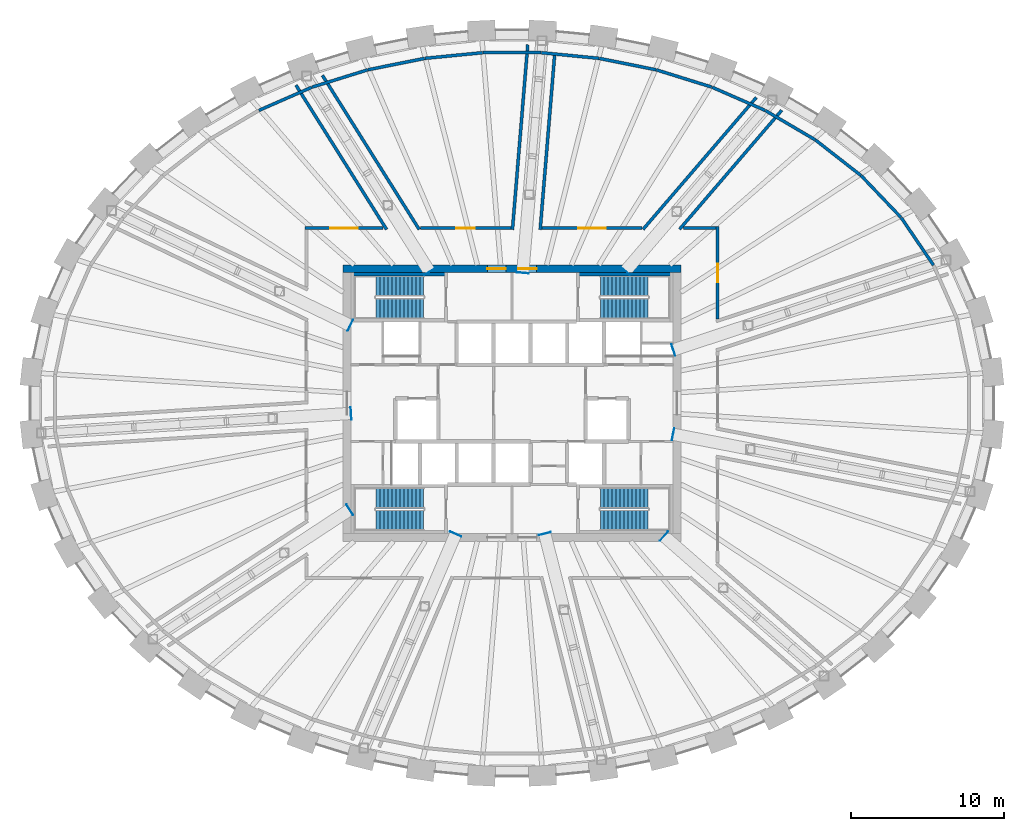
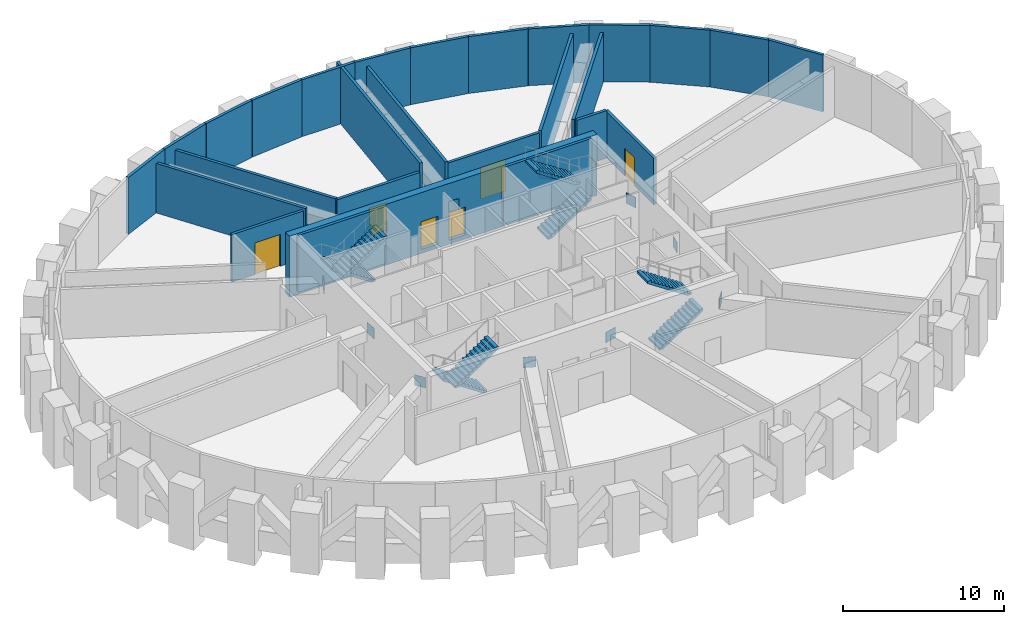
# One storey, part 10 of 12: 27 walls, 11 discrete accessories, 8 stair flights, 6 doors, 6 openings, 4 elements without a shape of their own.
"""IFC4 building model written with IfcOpenShell, lengths in metres."""

from ifc_helpers import new_model, si_unit, direction, frame, frame_2d, origin, origin_2d, place, context, subcontext, project, spatial, polyline, rectangle, outline, extrude, source, transform, mapped, material, layer, layer_set, type_object, element, fill, aggregate, save


model = new_model("IFC4")

# Units and contexts
model_context = context("Model", 3, precision=1e-05, world=origin(), true_north=direction((0.0, 1.0)))
body_context = subcontext(model_context, "Body", "Model", "MODEL_VIEW")
ifc_project = project(units=[si_unit("LENGTHUNIT", "METRE"), si_unit("AREAUNIT", "SQUARE_METRE"), si_unit("VOLUMEUNIT", "CUBIC_METRE"), si_unit("PLANEANGLEUNIT", "RADIAN"), si_unit("MASSUNIT", "GRAM", prefix="KILO")], contexts=[model_context])

# Site, building, storey
site_placement = place(None, origin())
site = spatial("IfcSite", under=ifc_project, at=site_placement, CompositionType="ELEMENT")
building_placement = place(site_placement, origin())
building = spatial("IfcBuilding", under=site, at=building_placement, Name="Embergate Tower", CompositionType="ELEMENT")
storey_placement = place(building_placement, frame((0.0, 0.0, 289.0)))
storey = spatial("IfcBuildingStorey", under=building, at=storey_placement, Name="L67", CompositionType="ELEMENT", Elevation=289.0)

# Wall, openings, doors
ifc_material_1 = material(Name="Concrete C50", Category="concrete")
ifc_layer_1 = layer(ifc_material_1, 0.5)
ifc_layer_set_1 = layer_set([ifc_layer_1], Name="Concrete C50")
wall_type_1 = type_object("IfcWallType", Name="Core outer wall C50 500", PredefinedType="SHEAR", material=ifc_layer_set_1)
shared_shape_1 = source(origin(), body_context, "Body", "SweptSolid", [
    extrude(rectangle(XDim=22.0, YDim=0.5, at=frame_2d((11.0, 0.0))), origin(), (0.0, 0.0, 1.0), 4.60009765625),
])
wall_1_placement = place(storey_placement, frame((-11.0, 8.75, -0.300048828125), z_axis=(0.0, 0.0, 1.0), x_axis=(1.0, 0.0, 0.0)))
wall_1 = element("IfcWall", 1, at=wall_1_placement, inside=storey, type_object=wall_type_1, Name="CW-L67-N", PredefinedType="SHEAR", context=body_context, shape_type="MappedRepresentation", body=[
    mapped(shared_shape_1, transform((0.0, 0.0, 0.0))),
])
shared_shape_2 = source(origin(), body_context, "Body", "SweptSolid", [
    extrude(rectangle(XDim=1.199951171875, YDim=2.10009765625, at=frame_2d((0.60009765625, 1.050048828125))), frame((0.0, 0.260009765625, 0.0), z_axis=(0.0, -1.0, 0.0), x_axis=(1.0, 0.0, 0.0)), (0.0, 0.0, 1.0), 0.52001953125),
])
opening_1_placement = place(wall_1_placement, frame((9.39990234375, 0.0, 0.300048828125)))
opening_1 = element("IfcOpeningElement", 2, at=opening_1_placement, cuts=wall_1, Name="Opening IF-1", PredefinedType="OPENING", context=body_context, shape_type="MappedRepresentation", body=[
    mapped(shared_shape_2, transform((0.0, 0.0, 0.0))),
])
opening_2_placement = place(wall_1_placement, frame((11.39990234375, 0.0, 0.300048828125)))
opening_2 = element("IfcOpeningElement", 3, at=opening_2_placement, cuts=wall_1, Name="Opening IF-1", PredefinedType="OPENING", context=body_context, shape_type="MappedRepresentation", body=[
    mapped(shared_shape_2, transform((0.0, 0.0, 0.0))),
])
ifc_material_2 = material(Name="Escape fire door 1200")
door_type_1 = type_object("IfcDoorType", Name="Escape fire door 1200", OperationType="SINGLE_SWING_LEFT", PredefinedType="DOOR", material=ifc_material_2)
shared_shape_3 = source(origin(), body_context, "Body", "SweptSolid", [
    extrude(rectangle(XDim=1.199951171875, YDim=2.10009765625, at=frame_2d((0.60009765625, 1.050048828125))), frame((0.0, 0.02490234375, 0.0), z_axis=(0.0, -1.0, 0.0), x_axis=(1.0, 0.0, 0.0)), (0.0, 0.0, 1.0), 0.050048828125),
])
door_1_placement = place(opening_1_placement, origin())
door_1 = element("IfcDoor", 4, at=door_1_placement, inside=storey, type_object=door_type_1, Name="IF-1 door", OperationType="SINGLE_SWING_RIGHT", OverallHeight=2.10009765625, OverallWidth=1.199951171875, PredefinedType="DOOR", context=body_context, shape_type="MappedRepresentation", body=[
    mapped(shared_shape_3, transform((0.0, 0.0, 0.0))),
])
fill(opening_1, door_1)
door_2_placement = place(opening_2_placement, origin())
door_2 = element("IfcDoor", 5, at=door_2_placement, inside=storey, type_object=door_type_1, Name="IF-1 door", OperationType="SINGLE_SWING_RIGHT", OverallHeight=2.10009765625, OverallWidth=1.199951171875, PredefinedType="DOOR", context=body_context, shape_type="MappedRepresentation", body=[
    mapped(shared_shape_3, transform((0.0, 0.0, 0.0))),
])
fill(opening_2, door_2)

# Walls
ifc_material_3 = material(Name="Terracotta louvre cladding on insulated backing", Category="masonry")
ifc_layer_2 = layer(ifc_material_3, 0.199951171875)
ifc_layer_set_2 = layer_set([ifc_layer_2], Name="Terracotta louvre cladding on insulated backing")
wall_type_2 = type_object("IfcWallType", Name="Terracotta louvre wall", PredefinedType="SOLIDWALL", material=ifc_layer_set_2)
shared_shape_4 = source(origin(), body_context, "Body", "SweptSolid", [
    extrude(rectangle(XDim=3.7451171875, YDim=0.199951171875, at=frame_2d((1.87255859375, 0.0))), origin(), (0.0, 0.0, 1.0), 4.300048828125),
])
wall_2_placement = place(storey_placement, frame((25.35546875, 12.083984375, 0.0), z_axis=(0.0, 0.0, 1.0), x_axis=(0.562318936697, -0.826920439602, 0.0)))
element("IfcWall", 6, at=wall_2_placement, inside=storey, type_object=wall_type_2, Name="Louvre wall 3", PredefinedType="SOLIDWALL", context=body_context, shape_type="MappedRepresentation", body=[
    mapped(shared_shape_4, transform((0.0, 0.0, 0.0))),
])
shared_shape_5 = source(origin(), body_context, "Body", "SweptSolid", [
    extrude(rectangle(XDim=3.75390625, YDim=0.199951171875, at=frame_2d((1.876953125, 0.0))), origin(), (0.0, 0.0, 1.0), 4.300048828125),
])
wall_3_placement = place(storey_placement, frame((22.752197265625, 14.81591796875, 0.0), z_axis=(0.0, 0.0, 1.0), x_axis=(0.690161680949, -0.723655203913, 0.0)))
element("IfcWall", 7, at=wall_3_placement, inside=storey, type_object=wall_type_2, Name="Louvre wall 4", PredefinedType="SOLIDWALL", context=body_context, shape_type="MappedRepresentation", body=[
    mapped(shared_shape_5, transform((0.0, 0.0, 0.0))),
])
shared_shape_6 = source(origin(), body_context, "Body", "SweptSolid", [
    extrude(rectangle(XDim=3.760986328125, YDim=0.199951171875, at=frame_2d((1.88037109375, 0.0))), origin(), (0.0, 0.0, 1.0), 4.300048828125),
])
wall_4_placement = place(storey_placement, frame((19.772705078125, 17.143310546875, 0.0), z_axis=(0.0, 0.0, 1.0), x_axis=(0.788291977809, -0.615301355209, 0.0)))
element("IfcWall", 8, at=wall_4_placement, inside=storey, type_object=wall_type_2, Name="Louvre wall 5", PredefinedType="SOLIDWALL", context=body_context, shape_type="MappedRepresentation", body=[
    mapped(shared_shape_6, transform((0.0, 0.0, 0.0))),
])
shared_shape_7 = source(origin(), body_context, "Body", "SweptSolid", [
    extrude(rectangle(XDim=3.76708984375, YDim=0.199951171875, at=frame_2d((1.883544921875, 0.0))), origin(), (0.0, 0.0, 1.0), 4.300048828125),
])
wall_5_placement = place(storey_placement, frame((16.508544921875, 19.063720703125, 0.0), z_axis=(0.0, 0.0, 1.0), x_axis=(0.86206746529, -0.506793533195, 0.0)))
element("IfcWall", 9, at=wall_5_placement, inside=storey, type_object=wall_type_2, Name="Louvre wall 6", PredefinedType="SOLIDWALL", context=body_context, shape_type="MappedRepresentation", body=[
    mapped(shared_shape_7, transform((0.0, 0.0, 0.0))),
])
shared_shape_8 = source(origin(), body_context, "Body", "SweptSolid", [
    extrude(rectangle(XDim=3.771728515625, YDim=0.199951171875, at=frame_2d((1.8857421875, 0.0))), origin(), (0.0, 0.0, 1.0), 4.300048828125),
])
for number, where, z_axis, x_axis, name in (
    (10, (13.03515625, 20.583984375, 0.0), (0.0, 0.0, 1.0), (0.916247932971, -0.400611688955, 0.0), "Louvre wall 7"),
    (11, (-16.490966796875, 19.072998046875, 0.0), (0.0, 0.0, 1.0), (0.916247932971, 0.400611688955, 0.0), "Louvre wall 15"),
):
    element("IfcWall", number, at=place(storey_placement, frame(where, z_axis=z_axis, x_axis=x_axis)), inside=storey, type_object=wall_type_2, Name=name, PredefinedType="SOLIDWALL", context=body_context, shape_type="MappedRepresentation", body=[
        mapped(shared_shape_8, transform((0.0, 0.0, 0.0))),
    ])
shared_shape_9 = source(origin(), body_context, "Body", "SweptSolid", [
    extrude(rectangle(XDim=3.77490234375, YDim=0.199951171875, at=frame_2d((1.887451171875, 0.0))), origin(), (0.0, 0.0, 1.0), 4.300048828125),
])
for number, where, z_axis, x_axis, name in (
    (12, (9.412109375, 21.71337890625, 0.0), (0.0, 0.0, 1.0), (0.954763782536, -0.297365296491, 0.0), "Louvre wall 8"),
    (13, (-13.016357421875, 20.5908203125, 0.0), (0.0, 0.0, 1.0), (0.954763782536, 0.297365296491, 0.0), "Louvre wall 14"),
):
    element("IfcWall", number, at=place(storey_placement, frame(where, z_axis=z_axis, x_axis=x_axis)), inside=storey, type_object=wall_type_2, Name=name, PredefinedType="SOLIDWALL", context=body_context, shape_type="MappedRepresentation", body=[
        mapped(shared_shape_9, transform((0.0, 0.0, 0.0))),
    ])
shared_shape_10 = source(origin(), body_context, "Body", "SweptSolid", [
    extrude(rectangle(XDim=3.777099609375, YDim=0.199951171875, at=frame_2d((1.888671875, 0.0))), origin(), (0.0, 0.0, 1.0), 4.300048828125),
])
for number, where, z_axis, x_axis, name in (
    (14, (5.689453125, 22.461181640625, 0.0), (0.0, 0.0, 1.0), (0.980466152675, -0.196687883354, 0.0), "Louvre wall 9"),
    (15, (-9.392822265625, 21.71826171875, 0.0), (0.0, 0.0, 1.0), (0.980466152675, 0.196687883354, 0.0), "Louvre wall 13"),
):
    element("IfcWall", number, at=place(storey_placement, frame(where, z_axis=z_axis, x_axis=x_axis)), inside=storey, type_object=wall_type_2, Name=name, PredefinedType="SOLIDWALL", context=body_context, shape_type="MappedRepresentation", body=[
        mapped(shared_shape_10, transform((0.0, 0.0, 0.0))),
    ])
shared_shape_11 = source(origin(), body_context, "Body", "SweptSolid", [
    extrude(rectangle(XDim=3.7783203125, YDim=0.199951171875, at=frame_2d((1.88916015625, 0.0))), origin(), (0.0, 0.0, 1.0), 4.300048828125),
])
for number, where, z_axis, x_axis, name in (
    (16, (1.909423828125, 22.833740234375, 0.0), (0.0, 0.0, 1.0), (0.995203394133, -0.097827421031, 0.0), "Louvre wall 10"),
    (17, (-5.669677734375, 22.464111328125, 0.0), (0.0, 0.0, 1.0), (0.995203394133, 0.097827421031, 0.0), "Louvre wall 12"),
):
    element("IfcWall", number, at=place(storey_placement, frame(where, z_axis=z_axis, x_axis=x_axis)), inside=storey, type_object=wall_type_2, Name=name, PredefinedType="SOLIDWALL", context=body_context, shape_type="MappedRepresentation", body=[
        mapped(shared_shape_11, transform((0.0, 0.0, 0.0))),
    ])
shared_shape_12 = source(origin(), body_context, "Body", "SweptSolid", [
    extrude(rectangle(XDim=3.77880859375, YDim=0.199951171875, at=frame_2d((1.889404296875, 0.0))), origin(), (0.0, 0.0, 1.0), 4.300048828125),
])
wall_6_placement = place(storey_placement, frame((-1.889404296875, 22.834716796875, 0.0), z_axis=(0.0, 0.0, 1.0), x_axis=(1.0, 0.0, 0.0)))
element("IfcWall", 18, at=wall_6_placement, inside=storey, type_object=wall_type_2, Name="Louvre wall 11", PredefinedType="SOLIDWALL", context=body_context, shape_type="MappedRepresentation", body=[
    mapped(shared_shape_12, transform((0.0, 0.0, 0.0))),
])
ifc_layer_3 = layer(ifc_material_1, 0.199951171875)
ifc_layer_set_3 = layer_set([ifc_layer_3], Name="Concrete C50")
wall_type_3 = type_object("IfcWallType", Name="Stair enclosure wall reinforced concrete 250", PredefinedType="SHEAR", material=ifc_layer_set_3)
shared_shape_13 = source(origin(), body_context, "Body", "SweptSolid", [
    extrude(rectangle(XDim=6.298095703125, YDim=0.199951171875, at=frame_2d((3.14892578125, 0.0))), origin(), (0.0, 0.0, 1.0), 4.300048828125),
])
for number, where, z_axis, x_axis, name in (
    (19, (-4.201904296875, 8.39990234375, 0.0), (0.0, 0.0, 1.0), (-1.0, 0.0, 0.0), "SE-1 wall"),
    (20, (10.5, 8.39990234375, 0.0), (0.0, 0.0, 1.0), (-1.0, 0.0, 0.0), "SE-1 wall"),
):
    element("IfcWall", number, at=place(storey_placement, frame(where, z_axis=z_axis, x_axis=x_axis)), inside=storey, type_object=wall_type_3, Name=name, PredefinedType="SHEAR", context=body_context, shape_type="MappedRepresentation", body=[
        mapped(shared_shape_13, transform((0.0, 0.0, 0.0))),
    ])
ifc_material_4 = material(Name="Blockwork, plastered", Category="masonry")
ifc_layer_4 = layer(ifc_material_4, 0.199951171875)
ifc_layer_set_4 = layer_set([ifc_layer_4], Name="Blockwork, plastered")
wall_type_4 = type_object("IfcWallType", Name="Fire partition wall 200 block", PredefinedType="PARTITIONING", material=ifc_layer_set_4)
shared_shape_14 = source(origin(), body_context, "Body", "SweptSolid", [
    extrude(rectangle(XDim=11.103271484375, YDim=0.199951171875, at=frame_2d((5.5517578125, 0.0))), origin(), (0.0, 0.0, 1.0), 3.75),
])
wall_7_placement = place(storey_placement, frame((-14.074951171875, 20.717041015625, 0.0), z_axis=(0.0, 0.0, 1.0), x_axis=(0.531920694887, -0.846794174726, 0.0)))
element("IfcWall", 21, at=wall_7_placement, inside=storey, type_object=wall_type_4, Name="Partition 004", PredefinedType="PARTITIONING", context=body_context, shape_type="MappedRepresentation", body=[
    mapped(shared_shape_14, transform((0.0, 0.0, 0.0))),
])

# Wall, opening, door
shared_shape_15 = source(origin(), body_context, "Body", "SweptSolid", [
    extrude(rectangle(XDim=5.10791015625, YDim=0.199951171875, at=frame_2d((2.553955078125, 0.0))), origin(), (0.0, 0.0, 1.0), 3.60009765625),
])
wall_8_placement = place(storey_placement, frame((-13.5, 11.39990234375, 0.0), z_axis=(0.0, 0.0, 1.0), x_axis=(1.0, 0.0, 0.0)))
wall_8 = element("IfcWall", 22, at=wall_8_placement, inside=storey, type_object=wall_type_4, Name="Partition 012", PredefinedType="PARTITIONING", context=body_context, shape_type="MappedRepresentation", body=[
    mapped(shared_shape_15, transform((0.0, 0.0, 0.0))),
])
shared_shape_16 = source(origin(), body_context, "Body", "SweptSolid", [
    extrude(rectangle(XDim=1.800048828125, YDim=2.39990234375, at=frame_2d((0.89990234375, 1.199951171875))), frame((0.0, 0.10986328125, 0.0), z_axis=(0.0, -1.0, 0.0), x_axis=(1.0, 0.0, 0.0)), (0.0, 0.0, 1.0), 0.219970703125),
])
opening_3_placement = place(wall_8_placement, frame((1.654052734375, 0.0, 0.0)))
opening_3 = element("IfcOpeningElement", 23, at=opening_3_placement, cuts=wall_8, Name="Opening DS-248", PredefinedType="OPENING", context=body_context, shape_type="MappedRepresentation", body=[
    mapped(shared_shape_16, transform((0.0, 0.0, 0.0))),
])
ifc_material_5 = material(Name="Timber door leaf, steel frame", Category="steel")
door_type_2 = type_object("IfcDoorType", Name="Double door 1800x2400", OperationType="DOUBLE_DOOR_SINGLE_SWING", PredefinedType="DOOR", material=ifc_material_5)
shared_shape_17 = source(origin(), body_context, "Body", "SweptSolid", [
    extrude(rectangle(XDim=1.800048828125, YDim=2.39990234375, at=frame_2d((0.89990234375, 1.199951171875))), frame((0.0, 0.02490234375, 0.0), z_axis=(0.0, -1.0, 0.0), x_axis=(1.0, 0.0, 0.0)), (0.0, 0.0, 1.0), 0.050048828125),
])
door_3_placement = place(opening_3_placement, origin())
door_3 = element("IfcDoor", 24, at=door_3_placement, inside=storey, type_object=door_type_2, Name="Door to Refuge area", OperationType="SINGLE_SWING_LEFT", OverallHeight=2.39990234375, OverallWidth=1.800048828125, PredefinedType="DOOR", context=body_context, shape_type="MappedRepresentation", body=[
    mapped(shared_shape_17, transform((0.0, 0.0, 0.0))),
])
fill(opening_3, door_3)

# Wall
shared_shape_18 = source(origin(), body_context, "Body", "SweptSolid", [
    extrude(rectangle(XDim=11.8583984375, YDim=0.199951171875, at=frame_2d((5.92919921875, 0.0))), origin(), (0.0, 0.0, 1.0), 3.75),
])
wall_9_placement = place(storey_placement, frame((-6.0439453125, 11.31494140625, 0.0), z_axis=(0.0, 0.0, 1.0), x_axis=(-0.531870461728, 0.846825727019, 0.0)))
element("IfcWall", 25, at=wall_9_placement, inside=storey, type_object=wall_type_4, Name="Partition 014", PredefinedType="PARTITIONING", context=body_context, shape_type="MappedRepresentation", body=[
    mapped(shared_shape_18, transform((0.0, 0.0, 0.0))),
])

# Wall, opening, door
shared_shape_19 = source(origin(), body_context, "Body", "SweptSolid", [
    extrude(rectangle(XDim=5.9150390625, YDim=0.199951171875, at=frame_2d((2.95751953125, 0.0))), origin(), (0.0, 0.0, 1.0), 3.60009765625),
])
wall_10_placement = place(storey_placement, frame((-5.97705078125, 11.39990234375, 0.0), z_axis=(0.0, 0.0, 1.0), x_axis=(1.0, 0.0, 0.0)))
wall_10 = element("IfcWall", 26, at=wall_10_placement, inside=storey, type_object=wall_type_4, Name="Partition 015", PredefinedType="PARTITIONING", context=body_context, shape_type="MappedRepresentation", body=[
    mapped(shared_shape_19, transform((0.0, 0.0, 0.0))),
])
shared_shape_20 = source(origin(), body_context, "Body", "SweptSolid", [
    extrude(rectangle(XDim=1.199951171875, YDim=2.10009765625, at=frame_2d((0.60009765625, 1.050048828125))), frame((0.0, 0.10986328125, 0.0), z_axis=(0.0, -1.0, 0.0), x_axis=(1.0, 0.0, 0.0)), (0.0, 0.0, 1.0), 0.219970703125),
])
opening_4_placement = place(wall_10_placement, frame((2.35791015625, 0.0, 0.0)))
opening_4 = element("IfcOpeningElement", 27, at=opening_4_placement, cuts=wall_10, Name="Opening DS-247", PredefinedType="OPENING", context=body_context, shape_type="MappedRepresentation", body=[
    mapped(shared_shape_20, transform((0.0, 0.0, 0.0))),
])
door_type_3 = type_object("IfcDoorType", Name="Plant door 1200x2100", OperationType="SINGLE_SWING_LEFT", PredefinedType="DOOR", material=ifc_material_5)
shared_shape_21 = source(origin(), body_context, "Body", "SweptSolid", [
    extrude(rectangle(XDim=1.199951171875, YDim=2.10009765625, at=frame_2d((0.60009765625, 1.050048828125))), frame((0.0, 0.02490234375, 0.0), z_axis=(0.0, -1.0, 0.0), x_axis=(1.0, 0.0, 0.0)), (0.0, 0.0, 1.0), 0.050048828125),
])
door_4_placement = place(opening_4_placement, origin())
door_4 = element("IfcDoor", 28, at=door_4_placement, inside=storey, type_object=door_type_3, Name="Door to Chiller plant", OperationType="SINGLE_SWING_LEFT", OverallHeight=2.10009765625, OverallWidth=1.199951171875, PredefinedType="DOOR", context=body_context, shape_type="MappedRepresentation", body=[
    mapped(shared_shape_21, transform((0.0, 0.0, 0.0))),
])
fill(opening_4, door_4)

# Walls
shared_shape_22 = source(origin(), body_context, "Body", "SweptSolid", [
    extrude(rectangle(XDim=12.092041015625, YDim=0.199951171875, at=frame_2d((6.0458984375, 0.0))), origin(), (0.0, 0.0, 1.0), 4.300048828125),
])
wall_11_placement = place(storey_placement, frame((1.02587890625, 23.35107421875, 0.0), z_axis=(0.0, 0.0, 1.0), x_axis=(-0.082355376595, -0.996603026258, 0.0)))
element("IfcWall", 29, at=wall_11_placement, inside=storey, type_object=wall_type_4, Name="Partition 018", PredefinedType="PARTITIONING", context=body_context, shape_type="MappedRepresentation", body=[
    mapped(shared_shape_22, transform((0.0, 0.0, 0.0))),
])
shared_shape_23 = source(origin(), body_context, "Body", "SweptSolid", [
    extrude(rectangle(XDim=11.40283203125, YDim=0.199951171875, at=frame_2d((5.701416015625, 0.0))), origin(), (0.0, 0.0, 1.0), 3.75),
])
wall_12_placement = place(storey_placement, frame((1.8359375, 11.300048828125, 0.0), z_axis=(0.0, 0.0, 1.0), x_axis=(0.082430612155, 0.996596806226, 0.0)))
element("IfcWall", 30, at=wall_12_placement, inside=storey, type_object=wall_type_4, Name="Partition 019", PredefinedType="PARTITIONING", context=body_context, shape_type="MappedRepresentation", body=[
    mapped(shared_shape_23, transform((0.0, 0.0, 0.0))),
])

# Wall, opening, door
shared_shape_24 = source(origin(), body_context, "Body", "SweptSolid", [
    extrude(rectangle(XDim=6.530029296875, YDim=0.199951171875, at=frame_2d((3.26513671875, 0.0))), origin(), (0.0, 0.0, 1.0), 3.60009765625),
])
wall_13_placement = place(storey_placement, frame((1.944091796875, 11.39990234375, 0.0), z_axis=(0.0, 0.0, 1.0), x_axis=(1.0, 0.0, 0.0)))
wall_13 = element("IfcWall", 31, at=wall_13_placement, inside=storey, type_object=wall_type_4, Name="Partition 020", PredefinedType="PARTITIONING", context=body_context, shape_type="MappedRepresentation", body=[
    mapped(shared_shape_24, transform((0.0, 0.0, 0.0))),
])
opening_5_placement = place(wall_13_placement, frame((2.364990234375, 0.0, 0.0)))
opening_5 = element("IfcOpeningElement", 32, at=opening_5_placement, cuts=wall_13, Name="Opening DS-246", PredefinedType="OPENING", context=body_context, shape_type="MappedRepresentation", body=[
    mapped(shared_shape_16, transform((0.0, 0.0, 0.0))),
])
door_5_placement = place(opening_5_placement, origin())
door_5 = element("IfcDoor", 33, at=door_5_placement, inside=storey, type_object=door_type_2, Name="Door to Refuge area", OperationType="SINGLE_SWING_LEFT", OverallHeight=2.39990234375, OverallWidth=1.800048828125, PredefinedType="DOOR", context=body_context, shape_type="MappedRepresentation", body=[
    mapped(shared_shape_17, transform((0.0, 0.0, 0.0))),
])
fill(opening_5, door_5)

# Walls
shared_shape_25 = source(origin(), body_context, "Body", "SweptSolid", [
    extrude(rectangle(XDim=2.1240234375, YDim=0.199951171875, at=frame_2d((1.06201171875, 0.0))), origin(), (0.0, 0.0, 1.0), 3.60009765625),
])
wall_14_placement = place(storey_placement, frame((11.176025390625, 11.39990234375, 0.0), z_axis=(0.0, 0.0, 1.0), x_axis=(1.0, 0.0, 0.0)))
element("IfcWall", 34, at=wall_14_placement, inside=storey, type_object=wall_type_4, Name="Partition 024", PredefinedType="PARTITIONING", context=body_context, shape_type="MappedRepresentation", body=[
    mapped(shared_shape_25, transform((0.0, 0.0, 0.0))),
])
shared_shape_26 = source(origin(), body_context, "Body", "SweptSolid", [
    extrude(rectangle(XDim=10.224609375, YDim=0.199951171875, at=frame_2d((5.1123046875, 0.0))), origin(), (0.0, 0.0, 1.0), 3.75),
])
wall_15_placement = place(storey_placement, frame((10.910888671875, 11.323974609375, 0.0), z_axis=(0.0, 0.0, 1.0), x_axis=(0.651479345862, 0.758666370623, 0.0)))
element("IfcWall", 35, at=wall_15_placement, inside=storey, type_object=wall_type_4, Name="Partition 025", PredefinedType="PARTITIONING", context=body_context, shape_type="MappedRepresentation", body=[
    mapped(shared_shape_26, transform((0.0, 0.0, 0.0))),
])

# Wall, opening, door
shared_shape_27 = source(origin(), body_context, "Body", "SweptSolid", [
    extrude(rectangle(XDim=6.012939453125, YDim=0.199951171875, at=frame_2d((3.00634765625, 0.0))), origin(), (0.0, 0.0, 1.0), 3.5),
])
wall_16_placement = place(storey_placement, frame((13.39990234375, 11.5, 0.0), z_axis=(0.0, 0.0, 1.0), x_axis=(0.0, -1.0, 0.0)))
wall_16 = element("IfcWall", 36, at=wall_16_placement, inside=storey, type_object=wall_type_4, Name="Partition 032", PredefinedType="PARTITIONING", context=body_context, shape_type="MappedRepresentation", body=[
    mapped(shared_shape_27, transform((0.0, 0.0, 0.0))),
])
opening_6_placement = place(wall_16_placement, frame((2.406982421875, 0.0, 0.0)))
opening_6 = element("IfcOpeningElement", 37, at=opening_6_placement, cuts=wall_16, Name="Opening DS-245", PredefinedType="OPENING", context=body_context, shape_type="MappedRepresentation", body=[
    mapped(shared_shape_20, transform((0.0, 0.0, 0.0))),
])
door_6_placement = place(opening_6_placement, origin())
door_6 = element("IfcDoor", 38, at=door_6_placement, inside=storey, type_object=door_type_3, Name="Door to Mechanical plant room", OperationType="SINGLE_SWING_LEFT", OverallHeight=2.10009765625, OverallWidth=1.199951171875, PredefinedType="DOOR", context=body_context, shape_type="MappedRepresentation", body=[
    mapped(shared_shape_21, transform((0.0, 0.0, 0.0))),
])
fill(opening_6, door_6)

# Wall
shared_shape_28 = source(origin(), body_context, "Body", "SweptSolid", [
    extrude(rectangle(XDim=11.32861328125, YDim=0.199951171875, at=frame_2d((5.664306640625, 0.0))), origin(), (0.0, 0.0, 1.0), 3.75),
])
wall_17_placement = place(storey_placement, frame((15.9189453125, 19.9189453125, 0.0), z_axis=(0.0, 0.0, 1.0), x_axis=(-0.651440704866, -0.758699550576, 0.0)))
element("IfcWall", 39, at=wall_17_placement, inside=storey, type_object=wall_type_4, Name="Partition 033", PredefinedType="PARTITIONING", context=body_context, shape_type="MappedRepresentation", body=[
    mapped(shared_shape_28, transform((0.0, 0.0, 0.0))),
])

# Stair, stair flights
ifc_material_6 = material(Name="Exit stair")
stair_type = type_object("IfcStairType", Name="Exit stair", PredefinedType="HALF_TURN_STAIR", material=ifc_material_6)
stair_1_placement = place(storey_placement, origin())
stair_1 = element("IfcStair", 40, at=stair_1_placement, inside=storey, type_object=stair_type, Name="L67 Exit stair 1", PredefinedType="HALF_TURN_STAIR")
ifc_material_7 = material(Name="Concrete C40", Category="concrete")
stair_flight_type = type_object("IfcStairFlightType", Name="Stair flight reinforced concrete", PredefinedType="STRAIGHT", material=ifc_material_7)
shared_shape_29 = source(origin(), body_context, "Body", "SweptSolid", [
    extrude(outline(polyline([(0.0, 0.0), (0.0, 0.173095703125), (0.260009765625, 0.173095703125), (0.260009765625, 0.34619140625), (0.52001953125, 0.34619140625), (0.52001953125, 0.519287109375), (0.780029296875, 0.519287109375), (0.780029296875, 0.6923828125), (1.0400390625, 0.6923828125), (1.0400390625, 0.865478515625), (1.300048828125, 0.865478515625), (1.300048828125, 1.03857421875), (1.56005859375, 1.03857421875), (1.56005859375, 1.21142578125), (1.820068359375, 1.21142578125), (1.820068359375, 1.384521484375), (2.080078125, 1.384521484375), (2.080078125, 1.5576171875), (2.340087890625, 1.5576171875), (2.340087890625, 1.730712890625), (2.60009765625, 1.730712890625), (2.60009765625, 1.90380859375), (2.860107421875, 1.90380859375), (2.860107421875, 2.076904296875), (3.1201171875, 2.076904296875), (3.1201171875, 2.25), (3.1201171875, 1.896728515625), (0.2705078125, 0.0), (0.0, 0.0)])), frame((0.0, 0.675048828125, 0.0), z_axis=(0.0, -1.0, 0.0), x_axis=(1.0, 0.0, 0.0)), (0.0, 0.0, 1.0), 1.35009765625),
])
stair_flight_1_placement = place(storey_placement, frame((-5.75, 7.625, 0.0), z_axis=(0.0, 0.0, 1.0), x_axis=(-1.0, 0.0, 0.0)))
stair_flight_1 = element("IfcStairFlight", 41, at=stair_flight_1_placement, type_object=stair_flight_type, Name="ST1 flight 1", NumberOfRisers=13, NumberOfTreads=12, PredefinedType="STRAIGHT", RiserHeight=0.173076923, TreadLength=0.26, context=body_context, shape_type="MappedRepresentation", body=[
    mapped(shared_shape_29, transform((0.0, 0.0, 0.0))),
])
stair_flight_2_placement = place(storey_placement, frame((-8.8701171875, 6.175048828125, 2.25), z_axis=(0.0, 0.0, 1.0), x_axis=(1.0, 0.0, 0.0)))
stair_flight_2 = element("IfcStairFlight", 42, at=stair_flight_2_placement, type_object=stair_flight_type, Name="ST1 flight 2", NumberOfRisers=13, NumberOfTreads=12, PredefinedType="STRAIGHT", RiserHeight=0.173076923, TreadLength=0.26, context=body_context, shape_type="MappedRepresentation", body=[
    mapped(shared_shape_29, transform((0.0, 0.0, 0.0))),
])
aggregate(stair_1, [stair_flight_1, stair_flight_2])

stair_2_placement = place(storey_placement, origin())
stair_2 = element("IfcStair", 43, at=stair_2_placement, inside=storey, type_object=stair_type, Name="L67 Exit stair 2", PredefinedType="HALF_TURN_STAIR")
stair_flight_3_placement = place(storey_placement, frame((5.75, 6.175048828125, 0.0), z_axis=(0.0, 0.0, 1.0), x_axis=(1.0, 0.0, 0.0)))
stair_flight_3 = element("IfcStairFlight", 44, at=stair_flight_3_placement, type_object=stair_flight_type, Name="ST2 flight 1", NumberOfRisers=13, NumberOfTreads=12, PredefinedType="STRAIGHT", RiserHeight=0.173076923, TreadLength=0.26, context=body_context, shape_type="MappedRepresentation", body=[
    mapped(shared_shape_29, transform((0.0, 0.0, 0.0))),
])
stair_flight_4_placement = place(storey_placement, frame((8.8701171875, 7.625, 2.25), z_axis=(0.0, 0.0, 1.0), x_axis=(-1.0, 0.0, 0.0)))
stair_flight_4 = element("IfcStairFlight", 45, at=stair_flight_4_placement, type_object=stair_flight_type, Name="ST2 flight 2", NumberOfRisers=13, NumberOfTreads=12, PredefinedType="STRAIGHT", RiserHeight=0.173076923, TreadLength=0.26, context=body_context, shape_type="MappedRepresentation", body=[
    mapped(shared_shape_29, transform((0.0, 0.0, 0.0))),
])
aggregate(stair_2, [stair_flight_3, stair_flight_4])

stair_3_placement = place(storey_placement, origin())
stair_3 = element("IfcStair", 46, at=stair_3_placement, inside=storey, type_object=stair_type, Name="L67 Exit stair 3", PredefinedType="HALF_TURN_STAIR")
stair_flight_5_placement = place(storey_placement, frame((-5.75, -6.175048828125, 0.0), z_axis=(0.0, 0.0, 1.0), x_axis=(-1.0, 0.0, 0.0)))
stair_flight_5 = element("IfcStairFlight", 47, at=stair_flight_5_placement, type_object=stair_flight_type, Name="ST3 flight 1", NumberOfRisers=13, NumberOfTreads=12, PredefinedType="STRAIGHT", RiserHeight=0.173076923, TreadLength=0.26, context=body_context, shape_type="MappedRepresentation", body=[
    mapped(shared_shape_29, transform((0.0, 0.0, 0.0))),
])
stair_flight_6_placement = place(storey_placement, frame((-8.8701171875, -7.625, 2.25), z_axis=(0.0, 0.0, 1.0), x_axis=(1.0, 0.0, 0.0)))
stair_flight_6 = element("IfcStairFlight", 48, at=stair_flight_6_placement, type_object=stair_flight_type, Name="ST3 flight 2", NumberOfRisers=13, NumberOfTreads=12, PredefinedType="STRAIGHT", RiserHeight=0.173076923, TreadLength=0.26, context=body_context, shape_type="MappedRepresentation", body=[
    mapped(shared_shape_29, transform((0.0, 0.0, 0.0))),
])
aggregate(stair_3, [stair_flight_5, stair_flight_6])

stair_4_placement = place(storey_placement, origin())
stair_4 = element("IfcStair", 49, at=stair_4_placement, inside=storey, type_object=stair_type, Name="L67 Exit stair 4", PredefinedType="HALF_TURN_STAIR")
stair_flight_7_placement = place(storey_placement, frame((5.75, -7.625, 0.0), z_axis=(0.0, 0.0, 1.0), x_axis=(1.0, 0.0, 0.0)))
stair_flight_7 = element("IfcStairFlight", 50, at=stair_flight_7_placement, type_object=stair_flight_type, Name="ST4 flight 1", NumberOfRisers=13, NumberOfTreads=12, PredefinedType="STRAIGHT", RiserHeight=0.173076923, TreadLength=0.26, context=body_context, shape_type="MappedRepresentation", body=[
    mapped(shared_shape_29, transform((0.0, 0.0, 0.0))),
])
stair_flight_8_placement = place(storey_placement, frame((8.8701171875, -6.175048828125, 2.25), z_axis=(0.0, 0.0, 1.0), x_axis=(-1.0, 0.0, 0.0)))
stair_flight_8 = element("IfcStairFlight", 51, at=stair_flight_8_placement, type_object=stair_flight_type, Name="ST4 flight 2", NumberOfRisers=13, NumberOfTreads=12, PredefinedType="STRAIGHT", RiserHeight=0.173076923, TreadLength=0.26, context=body_context, shape_type="MappedRepresentation", body=[
    mapped(shared_shape_29, transform((0.0, 0.0, 0.0))),
])
aggregate(stair_4, [stair_flight_7, stair_flight_8])

# Discrete accessories
ifc_material_8 = material(Name="Steel Q355B plate with headed studs", Category="steel")
discrete_accessory_type = type_object("IfcDiscreteAccessoryType", Name="Cast-in embed plate with headed anchors 800x800", PredefinedType="USERDEFINED", material=ifc_material_8)
shared_shape_30 = source(origin(), body_context, "Body", "SweptSolid", [
    extrude(rectangle(XDim=0.030029296875, YDim=0.800048828125, at=origin_2d()), origin(), (0.0, 0.0, 1.0), 0.800048828125),
])
for number, where, z_axis, x_axis, name in (
    (52, (10.510986328125, 3.467041015625, 2.14990234375), (0.0, 0.0, 1.0), (0.949699126202, 0.313163806484, 0.0), "Cast-in embed plate"),
    (53, (7.39306640625, 8.60888671875, 2.14990234375), (0.0, 0.0, 1.0), (0.651502765453, 0.758646259206, 0.0), "Cast-in embed plate"),
    (54, (0.700927734375, 8.487060546875, 2.14990234375), (0.0, 0.0, 1.0), (0.082338577906, 0.996604414293, 0.0), "Cast-in embed plate"),
    (55, (-5.3779296875, 8.56396484375, 2.14990234375), (0.0, 0.0, 1.0), (-0.531901178193, 0.846806433984, 0.0), "Cast-in embed plate"),
    (56, (-10.535888671875, 5.069091796875, 2.14990234375), (0.0, 0.0, 1.0), (-0.901145129215, 0.433517538391, 0.0), "Cast-in embed plate"),
    (57, (-10.486083984375, -0.666015625, 2.14990234375), (0.0, 0.0, 1.0), (-0.997989292065, -0.063382749422, 0.0), "Cast-in embed plate"),
    (58, (-10.570068359375, -6.944091796875, 2.14990234375), (0.0, 0.0, 1.0), (-0.835730695175, -0.549139513369, 0.0), "Cast-in embed plate"),
    (59, (-3.666015625, -8.527099609375, 2.14990234375), (0.0, 0.0, 1.0), (-0.394936278906, -0.918708515038, 0.0), "Cast-in embed plate"),
    (60, (2.134033203125, -8.5009765625, 2.14990234375), (0.0, 0.0, 1.0), (0.243513445691, -0.969897521271, 0.0), "Cast-in embed plate"),
    (61, (9.904052734375, -8.660888671875, 2.14990234375), (0.0, 0.0, 1.0), (0.752771184043, -0.658282268085, 0.0), "Cast-in embed plate"),
    (62, (10.493896484375, -2.02392578125, 2.14990234375), (0.0, 0.0, 1.0), (0.981899258154, -0.189403925081, 0.0), "Cast-in embed plate"),
):
    element("IfcDiscreteAccessory", number, at=place(storey_placement, frame(where, z_axis=z_axis, x_axis=x_axis)), inside=storey, type_object=discrete_accessory_type, Name=name, ObjectType="BRACKET", PredefinedType="USERDEFINED", context=body_context, shape_type="MappedRepresentation", body=[
        mapped(shared_shape_30, transform((0.0, 0.0, 0.0))),
    ])

save(model, "model.ifc")
